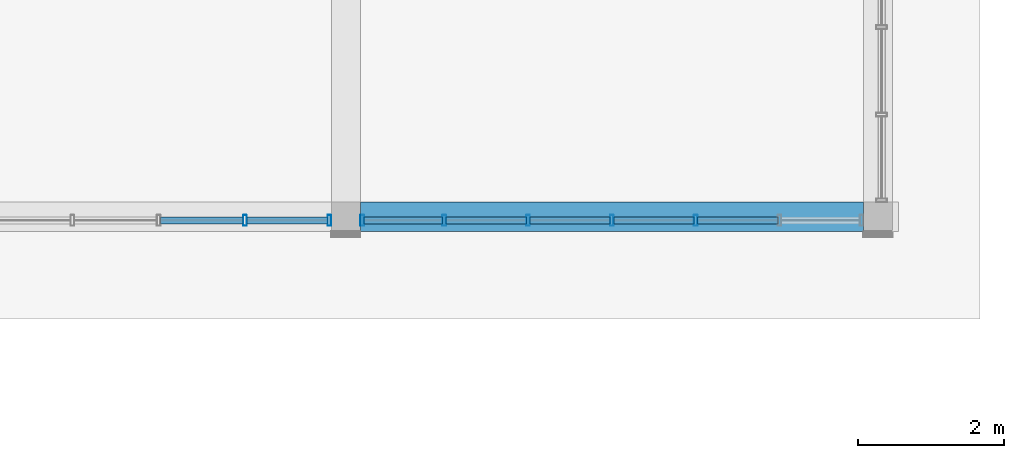
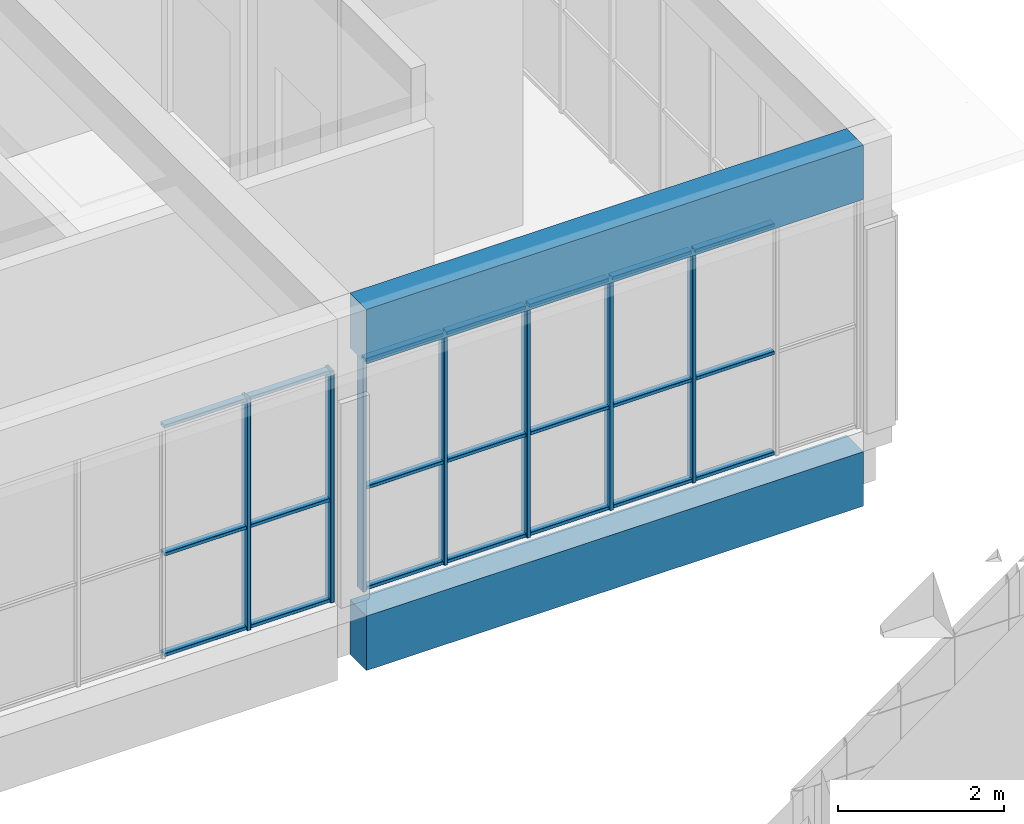
# One storey, part 13 of 92: 28 members, 2 beams, 2 elements without a shape of their own.
"""IFC4 building model written with IfcOpenShell, lengths in metres."""

from ifc_helpers import new_model, si_unit, direction, frame, origin, origin_2d, place, context, subcontext, project, spatial, rectangle, hollow_rectangle, extrude, material, material_profile, profile_set, type_object, element, aggregate, save


model = new_model("IFC4")

# Units and contexts
model_context = context("Model", 3, precision=1e-05, world=origin(), true_north=direction((0.0, 1.0)))
body_context = subcontext(model_context, "Body", "Model", "MODEL_VIEW")
ifc_project = project(units=[si_unit("LENGTHUNIT", "METRE"), si_unit("AREAUNIT", "SQUARE_METRE"), si_unit("VOLUMEUNIT", "CUBIC_METRE"), si_unit("PLANEANGLEUNIT", "RADIAN"), si_unit("MASSUNIT", "GRAM", prefix="KILO")], contexts=[model_context])

# Site, building, storey
site_placement = place(None, origin())
site = spatial("IfcSite", under=ifc_project, at=site_placement, CompositionType="ELEMENT")
building_placement = place(site_placement, origin())
building = spatial("IfcBuilding", under=site, at=building_placement, Name="Sun Court Science Centre", CompositionType="ELEMENT")
storey_placement = place(building_placement, frame((0.0, 0.0, 11.25)))
storey = spatial("IfcBuildingStorey", under=building, at=storey_placement, Name="L02", CompositionType="ELEMENT", Elevation=11.25)

# Curtain wall, members
ifc_material_1 = material(Name="Aluminium EN AW-6063 T6", Category="aluminium")
curtain_wall_type = type_object("IfcCurtainWallType", Name="Pavilion curtain wall 1200", PredefinedType="NOTDEFINED", material=ifc_material_1)
curtain_wall_1_placement = place(storey_placement, origin())
curtain_wall_1 = element("IfcCurtainWall", 1, at=curtain_wall_1_placement, inside=storey, type_object=curtain_wall_type, Name="Curtain wall V5 S L02 01", PredefinedType="NOTDEFINED")
ifc_material_2 = material(Name="Aluminium EN AW-6063 T6", Category="aluminium")
ifc_material_profile_1 = material_profile(ifc_material_2, hollow_rectangle(XDim=0.050048828125, YDim=0.14990234375, WallThickness=0.00390625, InnerFilletRadius=0.00390625, OuterFilletRadius=0.006103515625, at=origin_2d()), Name="AL 50x150x4")
ifc_profile_set_1 = profile_set([ifc_material_profile_1], Name="Aluminium EN AW-6063 T6")
member_type_1 = type_object("IfcMemberType", Name="Curtain wall mullion AL 50x150", PredefinedType="MULLION", material=ifc_profile_set_1)
member_1_placement = place(storey_placement, frame((58.72509765625, 36.14990234375, 0.0), z_axis=(0.0, 0.0, 1.0), x_axis=(-1.0, 0.0, 0.0)))
member_1 = element("IfcMember", 2, at=member_1_placement, type_object=member_type_1, Name="CW3-08 mullion 7", PredefinedType="MULLION", context=body_context, shape_type="SweptSolid", body=[
    extrude(hollow_rectangle(XDim=0.050048828125, YDim=0.14990234375, WallThickness=0.00390625, InnerFilletRadius=0.00390625, OuterFilletRadius=0.006103515625, at=origin_2d()), origin(), (0.0, 0.0, 1.0), 3.39990234375),
])
member_2_placement = place(storey_placement, frame((59.85009765625, 36.14990234375, 0.0), z_axis=(0.0, 0.0, 1.0), x_axis=(-1.0, 0.0, 0.0)))
member_2 = element("IfcMember", 3, at=member_2_placement, type_object=member_type_1, Name="CW3-08 mullion 6", PredefinedType="MULLION", context=body_context, shape_type="SweptSolid", body=[
    extrude(hollow_rectangle(XDim=0.050048828125, YDim=0.14990234375, WallThickness=0.00390625, InnerFilletRadius=0.00390625, OuterFilletRadius=0.006103515625, at=origin_2d()), origin(), (0.0, 0.0, 1.0), 3.39990234375),
])
member_3_placement = place(storey_placement, frame((61.0, 36.14990234375, 0.0), z_axis=(0.0, 0.0, 1.0), x_axis=(-1.0, 0.0, 0.0)))
member_3 = element("IfcMember", 4, at=member_3_placement, type_object=member_type_1, Name="CW3-08 mullion 5", PredefinedType="MULLION", context=body_context, shape_type="SweptSolid", body=[
    extrude(hollow_rectangle(XDim=0.050048828125, YDim=0.14990234375, WallThickness=0.00390625, InnerFilletRadius=0.00390625, OuterFilletRadius=0.006103515625, at=origin_2d()), origin(), (0.0, 0.0, 1.0), 3.39990234375),
])
member_4_placement = place(storey_placement, frame((62.14990234375, 36.14990234375, 0.0), z_axis=(0.0, 0.0, 1.0), x_axis=(-1.0, 0.0, 0.0)))
member_4 = element("IfcMember", 5, at=member_4_placement, type_object=member_type_1, Name="CW3-08 mullion 4", PredefinedType="MULLION", context=body_context, shape_type="SweptSolid", body=[
    extrude(hollow_rectangle(XDim=0.050048828125, YDim=0.14990234375, WallThickness=0.00390625, InnerFilletRadius=0.00390625, OuterFilletRadius=0.006103515625, at=origin_2d()), origin(), (0.0, 0.0, 1.0), 3.39990234375),
])
member_5_placement = place(storey_placement, frame((63.300048828125, 36.14990234375, 0.0), z_axis=(0.0, 0.0, 1.0), x_axis=(-1.0, 0.0, 0.0)))
member_5 = element("IfcMember", 6, at=member_5_placement, type_object=member_type_1, Name="CW3-08 mullion 3", PredefinedType="MULLION", context=body_context, shape_type="SweptSolid", body=[
    extrude(hollow_rectangle(XDim=0.050048828125, YDim=0.14990234375, WallThickness=0.00390625, InnerFilletRadius=0.00390625, OuterFilletRadius=0.006103515625, at=origin_2d()), origin(), (0.0, 0.0, 1.0), 3.39990234375),
])

curtain_wall_2_placement = place(storey_placement, origin())
curtain_wall_2 = element("IfcCurtainWall", 7, at=curtain_wall_2_placement, inside=storey, type_object=curtain_wall_type, Name="Curtain wall V5 S L02 02", PredefinedType="NOTDEFINED")
member_6_placement = place(storey_placement, frame((57.11669921875, 36.14990234375, 0.0), z_axis=(0.0, 0.0, 1.0), x_axis=(-1.0, 0.0, 0.0)))
member_6 = element("IfcMember", 8, at=member_6_placement, type_object=member_type_1, Name="CW3-09 mullion 2", PredefinedType="MULLION", context=body_context, shape_type="SweptSolid", body=[
    extrude(hollow_rectangle(XDim=0.050048828125, YDim=0.14990234375, WallThickness=0.00390625, InnerFilletRadius=0.00390625, OuterFilletRadius=0.006103515625, at=origin_2d()), origin(), (0.0, 0.0, 1.0), 3.39990234375),
])
member_7_placement = place(storey_placement, frame((58.27490234375, 36.14990234375, 0.0), z_axis=(0.0, 0.0, 1.0), x_axis=(-1.0, 0.0, 0.0)))
member_7 = element("IfcMember", 9, at=member_7_placement, type_object=member_type_1, Name="CW3-09 mullion 1", PredefinedType="MULLION", context=body_context, shape_type="SweptSolid", body=[
    extrude(hollow_rectangle(XDim=0.050048828125, YDim=0.14990234375, WallThickness=0.00390625, InnerFilletRadius=0.00390625, OuterFilletRadius=0.006103515625, at=origin_2d()), origin(), (0.0, 0.0, 1.0), 3.39990234375),
])

# Member
ifc_material_3 = material(Name="Aluminium EN AW-6063 T6", Category="aluminium")
ifc_material_profile_2 = material_profile(ifc_material_3, hollow_rectangle(XDim=0.050048828125, YDim=0.10009765625, WallThickness=0.00390625, InnerFilletRadius=0.00390625, OuterFilletRadius=0.006103515625, at=origin_2d()), Name="AL 50x100x4")
ifc_profile_set_2 = profile_set([ifc_material_profile_2], Name="Aluminium EN AW-6063 T6")
member_type_2 = type_object("IfcMemberType", Name="Curtain wall transom AL 50x100", PredefinedType="USERDEFINED", material=ifc_profile_set_2)
member_8_placement = place(storey_placement, frame((59.824951171875, 36.14990234375, 0.02490234375), z_axis=(-1.0, 0.0, 0.0), x_axis=(0.0, 0.0, 1.0)))
member_8 = element("IfcMember", 10, at=member_8_placement, type_object=member_type_2, Name="CW3-08 transom 6.1", ObjectType="TRANSOM", PredefinedType="USERDEFINED", context=body_context, shape_type="SweptSolid", body=[
    extrude(hollow_rectangle(XDim=0.050048828125, YDim=0.10009765625, WallThickness=0.00390625, InnerFilletRadius=0.00390625, OuterFilletRadius=0.006103515625, at=origin_2d()), origin(), (0.0, 0.0, 1.0), 1.074951171875),
])

member_9_placement = place(storey_placement, frame((60.97509765625, 36.14990234375, 0.02490234375), z_axis=(-1.0, 0.0, 0.0), x_axis=(0.0, 0.0, 1.0)))
member_9 = element("IfcMember", 11, at=member_9_placement, type_object=member_type_2, Name="CW3-08 transom 5.1", ObjectType="TRANSOM", PredefinedType="USERDEFINED", context=body_context, shape_type="SweptSolid", body=[
    extrude(hollow_rectangle(XDim=0.050048828125, YDim=0.10009765625, WallThickness=0.00390625, InnerFilletRadius=0.00390625, OuterFilletRadius=0.006103515625, at=origin_2d()), origin(), (0.0, 0.0, 1.0), 1.10009765625),
])

member_10_placement = place(storey_placement, frame((62.125, 36.14990234375, 0.02490234375), z_axis=(-1.0, 0.0, 0.0), x_axis=(0.0, 0.0, 1.0)))
member_10 = element("IfcMember", 12, at=member_10_placement, type_object=member_type_2, Name="CW3-08 transom 4.1", ObjectType="TRANSOM", PredefinedType="USERDEFINED", context=body_context, shape_type="SweptSolid", body=[
    extrude(hollow_rectangle(XDim=0.050048828125, YDim=0.10009765625, WallThickness=0.00390625, InnerFilletRadius=0.00390625, OuterFilletRadius=0.006103515625, at=origin_2d()), origin(), (0.0, 0.0, 1.0), 1.10009765625),
])

member_11_placement = place(storey_placement, frame((63.27490234375, 36.14990234375, 0.02490234375), z_axis=(-1.0, 0.0, 0.0), x_axis=(0.0, 0.0, 1.0)))
member_11 = element("IfcMember", 13, at=member_11_placement, type_object=member_type_2, Name="CW3-08 transom 3.1", ObjectType="TRANSOM", PredefinedType="USERDEFINED", context=body_context, shape_type="SweptSolid", body=[
    extrude(hollow_rectangle(XDim=0.050048828125, YDim=0.10009765625, WallThickness=0.00390625, InnerFilletRadius=0.00390625, OuterFilletRadius=0.006103515625, at=origin_2d()), origin(), (0.0, 0.0, 1.0), 1.099853515625),
])

member_12_placement = place(storey_placement, frame((64.425048828125, 36.14990234375, 0.02490234375), z_axis=(-1.0, 0.0, 0.0), x_axis=(0.0, 0.0, 1.0)))
member_12 = element("IfcMember", 14, at=member_12_placement, type_object=member_type_2, Name="CW3-08 transom 2.1", ObjectType="TRANSOM", PredefinedType="USERDEFINED", context=body_context, shape_type="SweptSolid", body=[
    extrude(hollow_rectangle(XDim=0.050048828125, YDim=0.10009765625, WallThickness=0.00390625, InnerFilletRadius=0.00390625, OuterFilletRadius=0.006103515625, at=origin_2d()), origin(), (0.0, 0.0, 1.0), 1.10009765625),
])

member_13_placement = place(storey_placement, frame((59.824951171875, 36.14990234375, 1.5), z_axis=(-1.0, 0.0, 0.0), x_axis=(0.0, 0.0, 1.0)))
member_13 = element("IfcMember", 15, at=member_13_placement, type_object=member_type_2, Name="CW3-08 transom 6.2", ObjectType="TRANSOM", PredefinedType="USERDEFINED", context=body_context, shape_type="SweptSolid", body=[
    extrude(hollow_rectangle(XDim=0.050048828125, YDim=0.10009765625, WallThickness=0.00390625, InnerFilletRadius=0.00390625, OuterFilletRadius=0.006103515625, at=origin_2d()), origin(), (0.0, 0.0, 1.0), 1.074951171875),
])

member_14_placement = place(storey_placement, frame((60.97509765625, 36.14990234375, 1.5), z_axis=(-1.0, 0.0, 0.0), x_axis=(0.0, 0.0, 1.0)))
member_14 = element("IfcMember", 16, at=member_14_placement, type_object=member_type_2, Name="CW3-08 transom 5.2", ObjectType="TRANSOM", PredefinedType="USERDEFINED", context=body_context, shape_type="SweptSolid", body=[
    extrude(hollow_rectangle(XDim=0.050048828125, YDim=0.10009765625, WallThickness=0.00390625, InnerFilletRadius=0.00390625, OuterFilletRadius=0.006103515625, at=origin_2d()), origin(), (0.0, 0.0, 1.0), 1.10009765625),
])

member_15_placement = place(storey_placement, frame((62.125, 36.14990234375, 1.5), z_axis=(-1.0, 0.0, 0.0), x_axis=(0.0, 0.0, 1.0)))
member_15 = element("IfcMember", 17, at=member_15_placement, type_object=member_type_2, Name="CW3-08 transom 4.2", ObjectType="TRANSOM", PredefinedType="USERDEFINED", context=body_context, shape_type="SweptSolid", body=[
    extrude(hollow_rectangle(XDim=0.050048828125, YDim=0.10009765625, WallThickness=0.00390625, InnerFilletRadius=0.00390625, OuterFilletRadius=0.006103515625, at=origin_2d()), origin(), (0.0, 0.0, 1.0), 1.10009765625),
])

member_16_placement = place(storey_placement, frame((63.27490234375, 36.14990234375, 1.5), z_axis=(-1.0, 0.0, 0.0), x_axis=(0.0, 0.0, 1.0)))
member_16 = element("IfcMember", 18, at=member_16_placement, type_object=member_type_2, Name="CW3-08 transom 3.2", ObjectType="TRANSOM", PredefinedType="USERDEFINED", context=body_context, shape_type="SweptSolid", body=[
    extrude(hollow_rectangle(XDim=0.050048828125, YDim=0.10009765625, WallThickness=0.00390625, InnerFilletRadius=0.00390625, OuterFilletRadius=0.006103515625, at=origin_2d()), origin(), (0.0, 0.0, 1.0), 1.099853515625),
])

member_17_placement = place(storey_placement, frame((64.425048828125, 36.14990234375, 1.5), z_axis=(-1.0, 0.0, 0.0), x_axis=(0.0, 0.0, 1.0)))
member_17 = element("IfcMember", 19, at=member_17_placement, type_object=member_type_2, Name="CW3-08 transom 2.2", ObjectType="TRANSOM", PredefinedType="USERDEFINED", context=body_context, shape_type="SweptSolid", body=[
    extrude(hollow_rectangle(XDim=0.050048828125, YDim=0.10009765625, WallThickness=0.00390625, InnerFilletRadius=0.00390625, OuterFilletRadius=0.006103515625, at=origin_2d()), origin(), (0.0, 0.0, 1.0), 1.10009765625),
])

member_18_placement = place(storey_placement, frame((59.824951171875, 36.14990234375, 3.375), z_axis=(-1.0, 0.0, 0.0), x_axis=(0.0, 0.0, 1.0)))
member_18 = element("IfcMember", 20, at=member_18_placement, type_object=member_type_2, Name="CW3-08 transom 6.3", ObjectType="TRANSOM", PredefinedType="USERDEFINED", context=body_context, shape_type="SweptSolid", body=[
    extrude(hollow_rectangle(XDim=0.050048828125, YDim=0.10009765625, WallThickness=0.00390625, InnerFilletRadius=0.00390625, OuterFilletRadius=0.006103515625, at=origin_2d()), origin(), (0.0, 0.0, 1.0), 1.074951171875),
])

member_19_placement = place(storey_placement, frame((60.97509765625, 36.14990234375, 3.375), z_axis=(-1.0, 0.0, 0.0), x_axis=(0.0, 0.0, 1.0)))
member_19 = element("IfcMember", 21, at=member_19_placement, type_object=member_type_2, Name="CW3-08 transom 5.3", ObjectType="TRANSOM", PredefinedType="USERDEFINED", context=body_context, shape_type="SweptSolid", body=[
    extrude(hollow_rectangle(XDim=0.050048828125, YDim=0.10009765625, WallThickness=0.00390625, InnerFilletRadius=0.00390625, OuterFilletRadius=0.006103515625, at=origin_2d()), origin(), (0.0, 0.0, 1.0), 1.10009765625),
])

member_20_placement = place(storey_placement, frame((62.125, 36.14990234375, 3.375), z_axis=(-1.0, 0.0, 0.0), x_axis=(0.0, 0.0, 1.0)))
member_20 = element("IfcMember", 22, at=member_20_placement, type_object=member_type_2, Name="CW3-08 transom 4.3", ObjectType="TRANSOM", PredefinedType="USERDEFINED", context=body_context, shape_type="SweptSolid", body=[
    extrude(hollow_rectangle(XDim=0.050048828125, YDim=0.10009765625, WallThickness=0.00390625, InnerFilletRadius=0.00390625, OuterFilletRadius=0.006103515625, at=origin_2d()), origin(), (0.0, 0.0, 1.0), 1.10009765625),
])

member_21_placement = place(storey_placement, frame((63.27490234375, 36.14990234375, 3.375), z_axis=(-1.0, 0.0, 0.0), x_axis=(0.0, 0.0, 1.0)))
member_21 = element("IfcMember", 23, at=member_21_placement, type_object=member_type_2, Name="CW3-08 transom 3.3", ObjectType="TRANSOM", PredefinedType="USERDEFINED", context=body_context, shape_type="SweptSolid", body=[
    extrude(hollow_rectangle(XDim=0.050048828125, YDim=0.10009765625, WallThickness=0.00390625, InnerFilletRadius=0.00390625, OuterFilletRadius=0.006103515625, at=origin_2d()), origin(), (0.0, 0.0, 1.0), 1.099853515625),
])

member_22_placement = place(storey_placement, frame((64.425048828125, 36.14990234375, 3.375), z_axis=(-1.0, 0.0, 0.0), x_axis=(0.0, 0.0, 1.0)))
member_22 = element("IfcMember", 24, at=member_22_placement, type_object=member_type_2, Name="CW3-08 transom 2.3", ObjectType="TRANSOM", PredefinedType="USERDEFINED", context=body_context, shape_type="SweptSolid", body=[
    extrude(hollow_rectangle(XDim=0.050048828125, YDim=0.10009765625, WallThickness=0.00390625, InnerFilletRadius=0.00390625, OuterFilletRadius=0.006103515625, at=origin_2d()), origin(), (0.0, 0.0, 1.0), 1.10009765625),
])

aggregate(curtain_wall_1, [member_1, member_2, member_3, member_4, member_5, member_8, member_9, member_10, member_11, member_12, member_13, member_14, member_15, member_16, member_17, member_18, member_19, member_20, member_21, member_22])

member_23_placement = place(storey_placement, frame((57.091552734375, 36.14990234375, 0.02490234375), z_axis=(-1.0, 0.0, 0.0), x_axis=(0.0, 0.0, 1.0)))
member_23 = element("IfcMember", 25, at=member_23_placement, type_object=member_type_2, Name="CW3-09 transom 2.1", ObjectType="TRANSOM", PredefinedType="USERDEFINED", context=body_context, shape_type="SweptSolid", body=[
    extrude(hollow_rectangle(XDim=0.050048828125, YDim=0.10009765625, WallThickness=0.00390625, InnerFilletRadius=0.00390625, OuterFilletRadius=0.006103515625, at=origin_2d()), origin(), (0.0, 0.0, 1.0), 1.13330078125),
])

member_24_placement = place(storey_placement, frame((58.25, 36.14990234375, 0.02490234375), z_axis=(-1.0, 0.0, 0.0), x_axis=(0.0, 0.0, 1.0)))
member_24 = element("IfcMember", 26, at=member_24_placement, type_object=member_type_2, Name="CW3-09 transom 1.1", ObjectType="TRANSOM", PredefinedType="USERDEFINED", context=body_context, shape_type="SweptSolid", body=[
    extrude(hollow_rectangle(XDim=0.050048828125, YDim=0.10009765625, WallThickness=0.00390625, InnerFilletRadius=0.00390625, OuterFilletRadius=0.006103515625, at=origin_2d()), origin(), (0.0, 0.0, 1.0), 1.1083984375),
])

member_25_placement = place(storey_placement, frame((57.091552734375, 36.14990234375, 1.5), z_axis=(-1.0, 0.0, 0.0), x_axis=(0.0, 0.0, 1.0)))
member_25 = element("IfcMember", 27, at=member_25_placement, type_object=member_type_2, Name="CW3-09 transom 2.2", ObjectType="TRANSOM", PredefinedType="USERDEFINED", context=body_context, shape_type="SweptSolid", body=[
    extrude(hollow_rectangle(XDim=0.050048828125, YDim=0.10009765625, WallThickness=0.00390625, InnerFilletRadius=0.00390625, OuterFilletRadius=0.006103515625, at=origin_2d()), origin(), (0.0, 0.0, 1.0), 1.13330078125),
])

member_26_placement = place(storey_placement, frame((58.25, 36.14990234375, 1.5), z_axis=(-1.0, 0.0, 0.0), x_axis=(0.0, 0.0, 1.0)))
member_26 = element("IfcMember", 28, at=member_26_placement, type_object=member_type_2, Name="CW3-09 transom 1.2", ObjectType="TRANSOM", PredefinedType="USERDEFINED", context=body_context, shape_type="SweptSolid", body=[
    extrude(hollow_rectangle(XDim=0.050048828125, YDim=0.10009765625, WallThickness=0.00390625, InnerFilletRadius=0.00390625, OuterFilletRadius=0.006103515625, at=origin_2d()), origin(), (0.0, 0.0, 1.0), 1.1083984375),
])

member_27_placement = place(storey_placement, frame((57.091552734375, 36.14990234375, 3.375), z_axis=(-1.0, 0.0, 0.0), x_axis=(0.0, 0.0, 1.0)))
member_27 = element("IfcMember", 29, at=member_27_placement, type_object=member_type_2, Name="CW3-09 transom 2.3", ObjectType="TRANSOM", PredefinedType="USERDEFINED", context=body_context, shape_type="SweptSolid", body=[
    extrude(hollow_rectangle(XDim=0.050048828125, YDim=0.10009765625, WallThickness=0.00390625, InnerFilletRadius=0.00390625, OuterFilletRadius=0.006103515625, at=origin_2d()), origin(), (0.0, 0.0, 1.0), 1.13330078125),
])

member_28_placement = place(storey_placement, frame((58.25, 36.14990234375, 3.375), z_axis=(-1.0, 0.0, 0.0), x_axis=(0.0, 0.0, 1.0)))
member_28 = element("IfcMember", 30, at=member_28_placement, type_object=member_type_2, Name="CW3-09 transom 1.3", ObjectType="TRANSOM", PredefinedType="USERDEFINED", context=body_context, shape_type="SweptSolid", body=[
    extrude(hollow_rectangle(XDim=0.050048828125, YDim=0.10009765625, WallThickness=0.00390625, InnerFilletRadius=0.00390625, OuterFilletRadius=0.006103515625, at=origin_2d()), origin(), (0.0, 0.0, 1.0), 1.1083984375),
])

aggregate(curtain_wall_2, [member_6, member_7, member_23, member_24, member_25, member_26, member_27, member_28])

# Beams
ifc_material_4 = material(Name="Concrete C25/30", Category="concrete")
ifc_material_profile_3 = material_profile(ifc_material_4, rectangle(XDim=0.39990234375, YDim=0.800048828125, at=origin_2d()), Name="RC 400x800")
ifc_profile_set_3 = profile_set([ifc_material_profile_3], Name="Concrete C25/30")
beam_type = type_object("IfcBeamType", Name="RC girder 400x800", PredefinedType="BEAM", material=ifc_profile_set_3)
for number, where, z_axis, x_axis, name in (
    (31, (58.699951171875, 36.199951171875, -0.699951171875), (1.0, 0.0, 0.0), (0.0, 1.0, 0.0), "Girder L02 row 1"),
    (32, (58.699951171875, 36.199951171875, 3.800048828125), (1.0, 0.0, 0.0), (0.0, 1.0, 0.0), "Girder L03 row 1"),
):
    element("IfcBeam", number, at=place(storey_placement, frame(where, z_axis=z_axis, x_axis=x_axis)), inside=storey, type_object=beam_type, Name=name, PredefinedType="BEAM", context=body_context, shape_type="SweptSolid", body=[
        extrude(rectangle(XDim=0.39990234375, YDim=0.800048828125, at=origin_2d()), origin(), (0.0, 0.0, 1.0), 6.900146484375),
    ])

save(model, "model.ifc")
